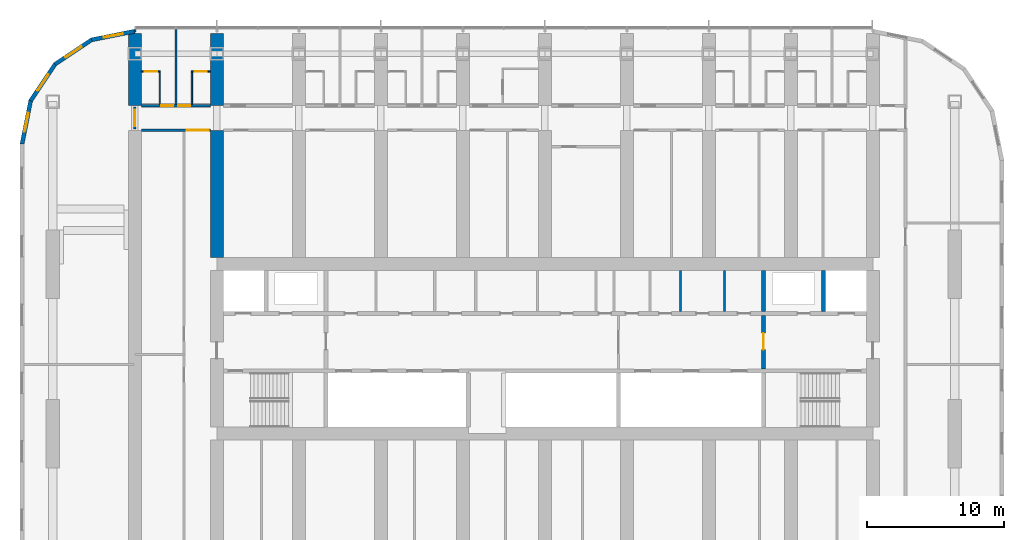
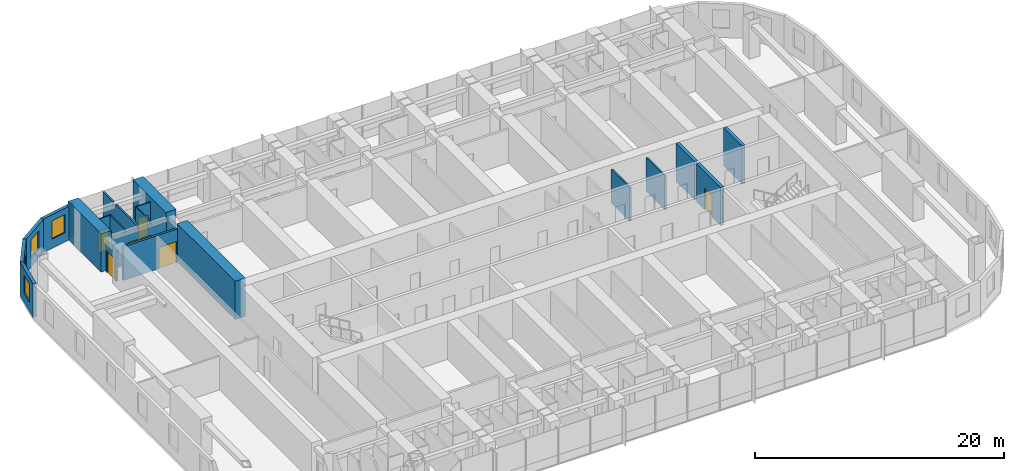
# One storey, part 13 of 22: 21 walls, 7 doors, 4 windows, 11 openings.
"""IFC4 building model written with IfcOpenShell, lengths in metres."""

import ifcopenshell
import ifcopenshell.guid

model = None  # the IFC model being written
_history = None  # IfcOwnerHistory: only IFC2X3 demands one
_inside = {}  # id of a spatial element -> (the spatial element, [elements in it])
_under = {}  # id of a project, library or spatial element -> (it, [spatial elements below it])
_declared = {}  # id of a project -> (the project, [libraries it declares])
_typed = {}  # id of a type object -> (the type object, [elements of that type])
_made_of = {}  # id of a material, layer set ... -> (it, [elements and type objects made of it])


def new_model(schema):
    """Start an empty IFC model of exactly this schema.

    Asked for "IFC4X3", IfcOpenShell would pick the latest addendum, in which some entities
    have other attributes; the version numbers below select the first issue.
    IFC2X3 requires an IfcOwnerHistory on every rooted entity: one is made here for all.
    """
    global model, _history
    if schema == "IFC4X3":
        model = ifcopenshell.file(schema_version=(4, 3, 0, 0))
    else:
        model = ifcopenshell.file(schema=schema)
    _inside.clear()
    _under.clear()
    _declared.clear()
    _typed.clear()
    _made_of.clear()
    _history = None
    if model.schema == "IFC2X3":
        org = make("IfcOrganization", Name="unknown")
        user = make(
            "IfcPersonAndOrganization",
            ThePerson=make("IfcPerson", FamilyName="unknown"),
            TheOrganization=org,
        )
        app = make(
            "IfcApplication",
            ApplicationDeveloper=org,
            Version="unknown",
            ApplicationFullName="unknown",
            ApplicationIdentifier="unknown",
        )
        _history = make(
            "IfcOwnerHistory",
            OwningUser=user,
            OwningApplication=app,
            ChangeAction="ADDED",
            CreationDate=0,
        )
    return model


def make(cls, **values):
    """One entity of the class cls with the attributes given. An attribute that is None is left unset."""
    return model.create_entity(
        cls, **{name: value for name, value in values.items() if value is not None}
    )


def rooted(cls, **values):
    """An entity with a GlobalId (a new one), such as an element, a storey or a relation."""
    return make(cls, GlobalId=ifcopenshell.guid.new(), OwnerHistory=_history, **values)


def si_unit(unit_type, name, prefix=None):
    """IfcSIUnit, for example si_unit("LENGTHUNIT", "METRE", prefix="MILLI")."""
    return make("IfcSIUnit", UnitType=unit_type, Prefix=prefix, Name=name)


def assignment(units):
    """IfcUnitAssignment: the units of a project."""
    return None if units is None else make("IfcUnitAssignment", Units=units)


def point(xyz):
    """IfcCartesianPoint."""
    return None if xyz is None else make("IfcCartesianPoint", Coordinates=xyz)


def direction(xyz):
    """IfcDirection."""
    return None if xyz is None else make("IfcDirection", DirectionRatios=xyz)


def frame(location, z_axis=None, x_axis=None):
    """IfcAxis2Placement3D, a coordinate frame: its origin and axes. An axis left out is left unset."""
    return make(
        "IfcAxis2Placement3D",
        Location=point(location),
        Axis=direction(z_axis),
        RefDirection=direction(x_axis),
    )


def frame_2d(location, x_axis=None):
    """IfcAxis2Placement2D, a coordinate frame in the plane: its origin and x axis."""
    return make(
        "IfcAxis2Placement2D", Location=point(location), RefDirection=direction(x_axis)
    )


def origin():
    """The frame at (0, 0, 0) with its axes left unset."""
    return frame((0.0, 0.0, 0.0))


def place(relative_to, where):
    """IfcLocalPlacement: puts the frame where relative to a parent placement (None: the world)."""
    return make(
        "IfcLocalPlacement", PlacementRelTo=relative_to, RelativePlacement=where
    )


def context(
    kind, dimensions, precision=None, world=None, true_north=None, identifier=None
):
    """IfcGeometricRepresentationContext, for example the 3D "Model" context."""
    return make(
        "IfcGeometricRepresentationContext",
        ContextIdentifier=identifier,
        ContextType=kind,
        CoordinateSpaceDimension=dimensions,
        Precision=precision,
        WorldCoordinateSystem=world,
        TrueNorth=true_north,
    )


def subcontext(parent, identifier, kind, view, scale=None):
    """IfcGeometricRepresentationSubContext, for example "Body" below "Model"."""
    return make(
        "IfcGeometricRepresentationSubContext",
        ContextIdentifier=identifier,
        ContextType=kind,
        ParentContext=parent,
        TargetScale=scale,
        TargetView=view,
    )


def project(units=None, contexts=None):
    """IfcProject with its units and contexts."""
    return rooted(
        "IfcProject",
        Name="project",
        RepresentationContexts=contexts,
        UnitsInContext=assignment(units),
    )


def spatial(cls, under=None, at=None, **own):
    """A site, building, storey or space (cls), placed at a placement, below another one or the project."""
    s = rooted(cls, ObjectPlacement=at, **own)
    if under is not None:
        _under.setdefault(under.id(), (under, []))[1].append(s)
    return s


def polyline(points):
    """IfcPolyline through the points."""
    return make("IfcPolyline", Points=[point(p) for p in points])


def profile(cls, at=None, kind="AREA", **sizes):
    """A parametric profile (cls). Its sizes go by their IFC names, for example OverallWidth=200.0."""
    return make(cls, ProfileType=kind, Position=at, **sizes)


def rectangle(**sizes):
    """IfcRectangleProfileDef."""
    return profile("IfcRectangleProfileDef", **sizes)


def outline(outer, holes=None, kind="AREA"):
    """IfcArbitraryClosedProfileDef: a profile drawn as a closed curve; with holes, ...WithVoids."""
    if holes is None:
        return make("IfcArbitraryClosedProfileDef", ProfileType=kind, OuterCurve=outer)
    return make(
        "IfcArbitraryProfileDefWithVoids",
        ProfileType=kind,
        OuterCurve=outer,
        InnerCurves=holes,
    )


def extrude(swept, where, along, depth):
    """IfcExtrudedAreaSolid: the profile swept, set in the frame where, extruded along a direction by depth."""
    return make(
        "IfcExtrudedAreaSolid",
        SweptArea=swept,
        Position=where,
        ExtrudedDirection=direction(along),
        Depth=depth,
    )


def shape(context_of_items, identifier, shape_type, items):
    """IfcShapeRepresentation: the items that make up one representation, for example the "Body"."""
    return make(
        "IfcShapeRepresentation",
        ContextOfItems=context_of_items,
        RepresentationIdentifier=identifier,
        RepresentationType=shape_type,
        Items=items,
    )


def material(Name=None, Category=None):
    """IfcMaterial."""
    return make("IfcMaterial", Name=Name, Category=Category)


def layer(
    of_material, thickness, ventilated=None, Name=None, Category=None, Priority=None
):
    """IfcMaterialLayer: one layer of a wall or slab, of a material (None: an air gap)."""
    return make(
        "IfcMaterialLayer",
        Material=of_material,
        LayerThickness=thickness,
        IsVentilated=ventilated,
        Name=Name,
        Category=Category,
        Priority=Priority,
    )


def layer_set(layers, Name=None):
    """IfcMaterialLayerSet."""
    return make("IfcMaterialLayerSet", MaterialLayers=layers, LayerSetName=Name)


def made_of(thing, what):
    """Note that an element or type object is made of a material, layer set ...; save() writes the relation."""
    if what is not None:
        _made_of.setdefault(what.id(), (what, []))[1].append(thing)
    return thing


def type_object(cls, material=None, **own):
    """A type object (cls), such as IfcWallType, which elements share."""
    return made_of(rooted(cls, **own), material)


def element(
    cls,
    number,
    at=None,
    inside=None,
    cuts=None,
    type_object=None,
    material=None,
    context=None,
    identifier="Body",
    shape_type=None,
    held_by="IfcProductDefinitionShape",
    body=None,
    shapes=None,
    **own,
):
    """One element of the class cls, such as IfcWall. Its Tag is "e" and its number.

    at: its placement. inside: the storey or other place that contains it. cuts: it is an
    opening in that element (IfcRelVoidsElement). A single representation is given by context,
    identifier, shape_type and body (its items); several are given by shapes. held_by: the class
    of the entity that holds the representations. save() writes the other relations.
    """
    e = rooted(cls, Tag="e%d" % number, ObjectPlacement=at, **own)
    if body is not None:
        shapes = [shape(context, identifier, shape_type, body)]
    if shapes is not None:
        e.Representation = make(held_by, Representations=shapes)
    if inside is not None:
        _inside.setdefault(inside.id(), (inside, []))[1].append(e)
    if cuts is not None:
        rooted(
            "IfcRelVoidsElement", RelatingBuildingElement=cuts, RelatedOpeningElement=e
        )
    if type_object is not None:
        _typed.setdefault(type_object.id(), (type_object, []))[1].append(e)
    return made_of(e, material)


def fill(opening, filler):
    """IfcRelFillsElement: the door or window that sits in an opening."""
    return rooted(
        "IfcRelFillsElement",
        RelatingOpeningElement=opening,
        RelatedBuildingElement=filler,
    )


def aggregate(whole, parts):
    """IfcRelAggregates: a whole, such as a stair, and the parts it consists of."""
    return rooted("IfcRelAggregates", RelatingObject=whole, RelatedObjects=parts)


def save(model, path):
    """Write the relations noted so far, then the file.

    IfcRelAggregates (storeys below a building ...), IfcRelContainedInSpatialStructure (elements
    in a storey), IfcRelDefinesByType, IfcRelAssociatesMaterial and IfcRelDeclares: one each for
    every whole, place, type object, material and project.
    """
    for whole, parts in _under.values():
        aggregate(whole, parts)
    for where, things in _inside.values():
        rooted(
            "IfcRelContainedInSpatialStructure",
            RelatedElements=things,
            RelatingStructure=where,
        )
    for kind, things in _typed.values():
        rooted("IfcRelDefinesByType", RelatedObjects=things, RelatingType=kind)
    for what, things in _made_of.values():
        rooted("IfcRelAssociatesMaterial", RelatedObjects=things, RelatingMaterial=what)
    for by, libraries in _declared.values():
        rooted("IfcRelDeclares", RelatingContext=by, RelatedDefinitions=libraries)
    model.write(path)


model = new_model("IFC4")

# Units and contexts
model_context = context("Model", 3, precision=1e-05, world=origin(), true_north=direction((0.0, 1.0)))
body_context = subcontext(model_context, "Body", "Model", "MODEL_VIEW")
ifc_project = project(units=[si_unit("LENGTHUNIT", "METRE"), si_unit("AREAUNIT", "SQUARE_METRE"), si_unit("VOLUMEUNIT", "CUBIC_METRE"), si_unit("PLANEANGLEUNIT", "RADIAN"), si_unit("MASSUNIT", "GRAM", prefix="KILO")], contexts=[model_context])

# Site, building, storey
site_placement = place(None, origin())
site = spatial("IfcSite", under=ifc_project, at=site_placement, CompositionType="ELEMENT")
building_placement = place(site_placement, origin())
building = spatial("IfcBuilding", under=site, at=building_placement, Name="Orbita Commons", CompositionType="ELEMENT")
storey_placement = place(building_placement, frame((0.0, 0.0, 80.64990234375)))
storey = spatial("IfcBuildingStorey", under=building, at=storey_placement, Name="L19", CompositionType="ELEMENT", Elevation=80.64990234375)

# Wall, opening, door
ifc_material_1 = material(Name="Concrete C50/60", Category="concrete")
ifc_layer_1 = layer(ifc_material_1, 0.300048828125)
ifc_layer_set_1 = layer_set([ifc_layer_1], Name="Concrete C50/60")
wall_type_1 = type_object("IfcWallType", Name="Core inner wall 300 C50/60", PredefinedType="SHEAR", material=ifc_layer_set_1)
wall_1_placement = place(storey_placement, frame((58.0, 30.550048828125, 0.0), z_axis=(0.0, 0.0, 1.0), x_axis=(0.0, 1.0, 0.0)))
wall_1 = element("IfcWall", 1, at=wall_1_placement, inside=storey, type_object=wall_type_1, Name="Firefighting lobby wall east L19", PredefinedType="SHEAR", context=body_context, shape_type="SweptSolid", body=[
    extrude(rectangle(XDim=3.89990234375, YDim=0.300048828125, at=frame_2d((1.949951171875, 0.0))), origin(), (0.0, 0.0, 1.0), 3.75),
])
opening_1_placement = place(wall_1_placement, frame((1.39990234375, 0.0, 0.0)))
opening_1 = element("IfcOpeningElement", 2, at=opening_1_placement, cuts=wall_1, Name="Opening D04", PredefinedType="OPENING", context=body_context, shape_type="SweptSolid", body=[
    extrude(rectangle(XDim=1.199951171875, YDim=2.10009765625, at=frame_2d((0.60009765625, 1.050048828125))), frame((0.0, 0.159912109375, 0.0), z_axis=(0.0, -1.0, 0.0), x_axis=(1.0, 0.0, 0.0)), (0.0, 0.0, 1.0), 0.320068359375),
])
ifc_material_2 = material(Name="Steel-faced fire door leaf", Category="steel")
door_type_1 = type_object("IfcDoorType", Name="Service door 20 min 1200x2100", OperationType="SINGLE_SWING_LEFT", PredefinedType="DOOR", material=ifc_material_2)
door_1_placement = place(opening_1_placement, origin())
door_1 = element("IfcDoor", 3, at=door_1_placement, inside=storey, type_object=door_type_1, Name="Lift lobby door east", OperationType="SINGLE_SWING_LEFT", OverallHeight=2.10009765625, OverallWidth=1.199951171875, PredefinedType="DOOR", context=body_context, shape_type="SweptSolid", body=[
    extrude(rectangle(XDim=1.199951171875, YDim=2.10009765625, at=frame_2d((0.60009765625, 1.050048828125))), frame((0.0, 0.02490234375, 0.0), z_axis=(0.0, -1.0, 0.0), x_axis=(1.0, 0.0, 0.0)), (0.0, 0.0, 1.0), 0.050048828125),
])
fill(opening_1, door_1)

# Walls
for number, where, z_axis, x_axis, name in (
    (4, (62.39990234375, 34.75, 0.0), (0.0, 0.0, 1.0), (0.0, 1.0, 0.0), "Firefighting lift FL2 shaft wall L19"),
    (5, (58.0, 34.75, 0.0), (0.0, 0.0, 1.0), (0.0, 1.0, 0.0), "Riser wall east L19"),
):
    element("IfcWall", number, at=place(storey_placement, frame(where, z_axis=z_axis, x_axis=x_axis)), inside=storey, type_object=wall_type_1, Name=name, PredefinedType="SHEAR", context=body_context, shape_type="SweptSolid", body=[
        extrude(rectangle(XDim=2.97509765625, YDim=0.300048828125, at=frame_2d((1.487548828125, 0.0))), origin(), (0.0, 0.0, 1.0), 3.75),
    ])
ifc_material_3 = material(Name="Concrete blockwork", Category="masonry")
ifc_layer_2 = layer(ifc_material_3, 0.14990234375)
ifc_layer_set_2 = layer_set([ifc_layer_2], Name="Concrete blockwork")
wall_type_2 = type_object("IfcWallType", Name="Core partition 150 blockwork", PredefinedType="SOLIDWALL", material=ifc_layer_set_2)
for number, where, z_axis, x_axis, name in (
    (6, (51.92138671875, 34.75, 0.0), (0.0, 0.0, 1.0), (0.0, 1.0, 0.0), "Core partition 150 blockwork L19"),
    (7, (55.163330078125, 34.75, 0.0), (0.0, 0.0, 1.0), (0.0, 1.0, 0.0), "Core partition 150 blockwork L19"),
):
    element("IfcWall", number, at=place(storey_placement, frame(where, z_axis=z_axis, x_axis=x_axis)), inside=storey, type_object=wall_type_2, Name=name, PredefinedType="SOLIDWALL", context=body_context, shape_type="SweptSolid", body=[
        extrude(rectangle(XDim=2.97509765625, YDim=0.14990234375, at=frame_2d((1.487548828125, 0.0))), origin(), (0.0, 0.0, 1.0), 3.300048828125),
    ])

# Wall, openings, doors
ifc_material_4 = material(Name="Concrete blockwork", Category="masonry")
ifc_layer_3 = layer(ifc_material_4, 0.199951171875)
ifc_layer_set_3 = layer_set([ifc_layer_3], Name="Concrete blockwork")
wall_type_3 = type_object("IfcWallType", Name="Corridor wall 200 blockwork", PredefinedType="SOLIDWALL", material=ifc_layer_set_3)
wall_2_placement = place(storey_placement, frame((12.47509765625, 49.800048828125, 0.0), z_axis=(0.0, 0.0, 1.0), x_axis=(1.0, 0.0, 0.0)))
wall_2 = element("IfcWall", 8, at=wall_2_placement, inside=storey, type_object=wall_type_3, Name="Corridor wall 200 blockwork L19", PredefinedType="SOLIDWALL", context=body_context, shape_type="SweptSolid", body=[
    extrude(outline(polyline([(0.0, 0.0), (5.0498046875, 0.0), (5.050048828125, 2.900146484375), (0.0, 2.900146484375), (0.0, 0.0)])), frame((0.0, 0.10009765625, 0.0), z_axis=(0.0, -1.0, 0.0), x_axis=(1.0, 0.0, 0.0)), (0.0, 0.0, 1.0), 0.199951171875),
])
opening_2_placement = place(wall_2_placement, frame((1.449951171875, 0.0, 0.0)))
opening_2 = element("IfcOpeningElement", 9, at=opening_2_placement, cuts=wall_2, Name="Opening D11", PredefinedType="OPENING", context=body_context, shape_type="SweptSolid", body=[
    extrude(rectangle(XDim=0.89990234375, YDim=2.10009765625, at=frame_2d((0.449951171875, 1.050048828125))), frame((0.0, 0.10986328125, 0.0), z_axis=(0.0, -1.0, 0.0), x_axis=(1.0, 0.0, 0.0)), (0.0, 0.0, 1.0), 0.219970703125),
])
opening_3_placement = place(wall_2_placement, frame((2.699951171875, 0.0, 0.0)))
opening_3 = element("IfcOpeningElement", 10, at=opening_3_placement, cuts=wall_2, Name="Opening D11", PredefinedType="OPENING", context=body_context, shape_type="SweptSolid", body=[
    extrude(rectangle(XDim=0.89990234375, YDim=2.10009765625, at=frame_2d((0.449951171875, 1.050048828125))), frame((0.0, 0.10986328125, 0.0), z_axis=(0.0, -1.0, 0.0), x_axis=(1.0, 0.0, 0.0)), (0.0, 0.0, 1.0), 0.219970703125),
])
ifc_material_5 = material(Name="Steel-faced fire door leaf", Category="steel")
door_type_2 = type_object("IfcDoorType", Name="Corridor door 20 min 900x2100", OperationType="SINGLE_SWING_LEFT", PredefinedType="DOOR", material=ifc_material_5)
door_2_placement = place(opening_2_placement, origin())
door_2 = element("IfcDoor", 11, at=door_2_placement, inside=storey, type_object=door_type_2, Name="Cluster bedroom L19-N00 door", OperationType="SINGLE_SWING_LEFT", OverallHeight=2.10009765625, OverallWidth=0.89990234375, PredefinedType="DOOR", context=body_context, shape_type="SweptSolid", body=[
    extrude(rectangle(XDim=0.89990234375, YDim=2.10009765625, at=frame_2d((0.449951171875, 1.050048828125))), frame((0.0, 0.02490234375, 0.0), z_axis=(0.0, -1.0, 0.0), x_axis=(1.0, 0.0, 0.0)), (0.0, 0.0, 1.0), 0.050048828125),
])
fill(opening_2, door_2)
door_3_placement = place(opening_3_placement, origin())
door_3 = element("IfcDoor", 12, at=door_3_placement, inside=storey, type_object=door_type_2, Name="Cluster bedroom L19-N01 door", OperationType="SINGLE_SWING_LEFT", OverallHeight=2.10009765625, OverallWidth=0.89990234375, PredefinedType="DOOR", context=body_context, shape_type="SweptSolid", body=[
    extrude(rectangle(XDim=0.89990234375, YDim=2.10009765625, at=frame_2d((0.449951171875, 1.050048828125))), frame((0.0, 0.02490234375, 0.0), z_axis=(0.0, -1.0, 0.0), x_axis=(1.0, 0.0, 0.0)), (0.0, 0.0, 1.0), 0.050048828125),
])
fill(opening_3, door_3)

# Wall, opening, door
wall_3_placement = place(storey_placement, frame((12.0, 48.10009765625, 0.0), z_axis=(0.0, 0.0, 1.0), x_axis=(0.0, 1.0, 0.0)))
wall_3 = element("IfcWall", 13, at=wall_3_placement, inside=storey, type_object=wall_type_3, Name="Corridor wall 200 blockwork L19", PredefinedType="SOLIDWALL", context=body_context, shape_type="SweptSolid", body=[
    extrude(outline(polyline([(0.0, 0.0), (1.599853515625, 0.0), (1.60009765625, 2.900146484375), (0.0, 2.900146484375), (0.0, 0.0)])), frame((0.0, 0.10009765625, 0.0), z_axis=(0.0, -1.0, 0.0), x_axis=(1.0, 0.0, 0.0)), (0.0, 0.0, 1.0), 0.199951171875),
])
opening_4_placement = place(wall_3_placement, frame((0.199951171875, 0.0, 0.0)))
opening_4 = element("IfcOpeningElement", 14, at=opening_4_placement, cuts=wall_3, Name="Opening D12", PredefinedType="OPENING", context=body_context, shape_type="SweptSolid", body=[
    extrude(rectangle(XDim=1.199951171875, YDim=2.10009765625, at=frame_2d((0.60009765625, 1.050048828125))), frame((0.0, 0.10986328125, 0.0), z_axis=(0.0, -1.0, 0.0), x_axis=(1.0, 0.0, 0.0)), (0.0, 0.0, 1.0), 0.219970703125),
])
ifc_material_6 = material(Name="Steel-faced fire door leaf", Category="steel")
door_type_3 = type_object("IfcDoorType", Name="Double corridor door 20 min 1200x2100", OperationType="DOUBLE_DOOR_SINGLE_SWING", PredefinedType="DOOR", material=ifc_material_6)
door_4_placement = place(opening_4_placement, origin())
door_4 = element("IfcDoor", 15, at=door_4_placement, inside=storey, type_object=door_type_3, Name="Lounge doors", OperationType="DOUBLE_DOOR_SINGLE_SWING", OverallHeight=2.10009765625, OverallWidth=1.199951171875, PredefinedType="DOOR", context=body_context, shape_type="SweptSolid", body=[
    extrude(rectangle(XDim=1.199951171875, YDim=2.10009765625, at=frame_2d((0.60009765625, 1.050048828125))), frame((0.0, 0.02490234375, 0.0), z_axis=(0.0, -1.0, 0.0), x_axis=(1.0, 0.0, 0.0)), (0.0, 0.0, 1.0), 0.050048828125),
])
fill(opening_4, door_4)

ifc_material_7 = material(Name="Hollow concrete block 200", Category="concrete")
ifc_layer_4 = layer(ifc_material_7, 0.199951171875)
ifc_layer_set_4 = layer_set([ifc_layer_4], Name="Hollow concrete block 200")
wall_type_4 = type_object("IfcWallType", Name="Corridor wall 200 hollow concrete block", PredefinedType="SOLIDWALL", material=ifc_layer_set_4)
wall_4_placement = place(storey_placement, frame((12.47509765625, 48.0, 0.0), z_axis=(0.0, 0.0, 1.0), x_axis=(1.0, 0.0, 0.0)))
wall_4 = element("IfcWall", 16, at=wall_4_placement, inside=storey, type_object=wall_type_4, Name="Corridor wall 200 hollow concrete block L19", PredefinedType="SOLIDWALL", context=body_context, shape_type="SweptSolid", body=[
    extrude(rectangle(XDim=5.0498046875, YDim=0.199951171875, at=frame_2d((2.52490234375, 0.0))), origin(), (0.0, 0.0, 1.0), 3.300048828125),
])
opening_5_placement = place(wall_4_placement, frame((3.324951171875, 0.0, 0.0)))
opening_5 = element("IfcOpeningElement", 17, at=opening_5_placement, cuts=wall_4, Name="Opening D10", PredefinedType="OPENING", context=body_context, shape_type="SweptSolid", body=[
    extrude(rectangle(XDim=1.60009765625, YDim=2.10009765625, at=frame_2d((0.800048828125, 1.050048828125))), frame((0.0, 0.10986328125, 0.0), z_axis=(0.0, -1.0, 0.0), x_axis=(1.0, 0.0, 0.0)), (0.0, 0.0, 1.0), 0.219970703125),
])
ifc_material_8 = material(Name="Steel-faced fire door leaf", Category="steel")
door_type_4 = type_object("IfcDoorType", Name="Double corridor door 20 min 1600x2100", OperationType="DOUBLE_DOOR_SINGLE_SWING", PredefinedType="DOOR", material=ifc_material_8)
door_5_placement = place(opening_5_placement, origin())
door_5 = element("IfcDoor", 18, at=door_5_placement, inside=storey, type_object=door_type_4, Name="Cross corridor doors", OperationType="DOUBLE_DOOR_SINGLE_SWING", OverallHeight=2.10009765625, OverallWidth=1.60009765625, PredefinedType="DOOR", context=body_context, shape_type="SweptSolid", body=[
    extrude(rectangle(XDim=1.60009765625, YDim=2.10009765625, at=frame_2d((0.800048828125, 1.050048828125))), frame((0.0, 0.02490234375, 0.0), z_axis=(0.0, -1.0, 0.0), x_axis=(1.0, 0.0, 0.0)), (0.0, 0.0, 1.0), 0.050048828125),
])
fill(opening_5, door_5)

# Walls
ifc_material_9 = material(Name="Concrete C50/60", Category="concrete")
ifc_layer_5 = layer(ifc_material_9, 0.949951171875)
ifc_layer_set_5 = layer_set([ifc_layer_5], Name="Concrete C50/60")
wall_type_5 = type_object("IfcWallType", Name="Cross wall 950 C50/60", PredefinedType="SHEAR", material=ifc_layer_set_5)
for number, where, z_axis, x_axis, name in (
    (19, (12.0, 49.800048828125, 0.0), (0.0, 0.0, 1.0), (0.0, 1.0, 0.0), "Cross wall 3 north outer L19"),
    (20, (18.0, 49.800048828125, 0.0), (0.0, 0.0, 1.0), (0.0, 1.0, 0.0), "Cross wall 4 north outer L19"),
):
    element("IfcWall", number, at=place(storey_placement, frame(where, z_axis=z_axis, x_axis=x_axis)), inside=storey, type_object=wall_type_5, Name=name, PredefinedType="SHEAR", context=body_context, shape_type="SweptSolid", body=[
        extrude(rectangle(XDim=5.300048828125, YDim=0.949951171875, at=frame_2d((2.64990234375, 0.0))), origin(), (0.0, 0.0, 1.0), 3.75),
    ])
wall_5_placement = place(storey_placement, frame((18.0, 38.675048828125, 0.0), z_axis=(0.0, 0.0, 1.0), x_axis=(0.0, 1.0, 0.0)))
element("IfcWall", 21, at=wall_5_placement, inside=storey, type_object=wall_type_5, Name="Cross wall 4 north inner L19", PredefinedType="SHEAR", context=body_context, shape_type="SweptSolid", body=[
    extrude(rectangle(XDim=9.324951171875, YDim=0.949951171875, at=frame_2d((4.66259765625, 0.0))), origin(), (0.0, 0.0, 1.0), 3.75),
])

# Wall, opening, door
ifc_material_10 = material(Name="Moisture-resistant plasterboard on steel studs", Category="steel")
ifc_layer_6 = layer(ifc_material_10, 0.10009765625)
ifc_layer_set_6 = layer_set([ifc_layer_6], Name="Moisture-resistant plasterboard on steel studs")
wall_type_6 = type_object("IfcWallType", Name="En-suite partition 100", PredefinedType="PARTITIONING", material=ifc_layer_set_6)
wall_6_placement = place(storey_placement, frame((12.47509765625, 52.300048828125, 0.0), z_axis=(0.0, 0.0, 1.0), x_axis=(1.0, 0.0, 0.0)))
wall_6 = element("IfcWall", 22, at=wall_6_placement, inside=storey, type_object=wall_type_6, Name="En-suite partition 100 L19", PredefinedType="PARTITIONING", context=body_context, shape_type="SweptSolid", body=[
    extrude(rectangle(XDim=1.39990234375, YDim=0.10009765625, at=frame_2d((0.699951171875, 0.0))), origin(), (0.0, 0.0, 1.0), 3.300048828125),
])
opening_6_placement = place(wall_6_placement, frame((0.25, 0.0, 0.0)))
opening_6 = element("IfcOpeningElement", 23, at=opening_6_placement, cuts=wall_6, Name="Opening D09", PredefinedType="OPENING", context=body_context, shape_type="SweptSolid", body=[
    extrude(rectangle(XDim=0.89990234375, YDim=2.10009765625, at=frame_2d((0.449951171875, 1.050048828125))), frame((0.0, 0.06005859375, 0.0), z_axis=(0.0, -1.0, 0.0), x_axis=(1.0, 0.0, 0.0)), (0.0, 0.0, 1.0), 0.1201171875),
])
ifc_material_11 = material(Name="Laminated timber door leaf", Category="wood")
door_type_5 = type_object("IfcDoorType", Name="En-suite door 900x2100", OperationType="SINGLE_SWING_RIGHT", PredefinedType="DOOR", material=ifc_material_11)
door_6_placement = place(opening_6_placement, origin())
door_6 = element("IfcDoor", 24, at=door_6_placement, inside=storey, type_object=door_type_5, Name="En-suite L19-N00 door", OperationType="SINGLE_SWING_RIGHT", OverallHeight=2.10009765625, OverallWidth=0.89990234375, PredefinedType="DOOR", context=body_context, shape_type="SweptSolid", body=[
    extrude(rectangle(XDim=0.89990234375, YDim=2.10009765625, at=frame_2d((0.449951171875, 1.050048828125))), frame((0.0, 0.02490234375, 0.0), z_axis=(0.0, -1.0, 0.0), x_axis=(1.0, 0.0, 0.0)), (0.0, 0.0, 1.0), 0.050048828125),
])
fill(opening_6, door_6)

# Wall
wall_7_placement = place(storey_placement, frame((13.824951171875, 52.25, 0.0), z_axis=(0.0, 0.0, 1.0), x_axis=(0.0, -1.0, 0.0)))
element("IfcWall", 25, at=wall_7_placement, inside=storey, type_object=wall_type_6, Name="En-suite partition 100 L19", PredefinedType="PARTITIONING", context=body_context, shape_type="SweptSolid", body=[
    extrude(outline(polyline([(0.0, 0.0), (2.35009765625, 0.0), (2.35009765625, 2.900146484375), (2.302001953125, 2.900146484375), (2.300048828125, 3.300048828125), (0.0, 3.300048828125), (0.0, 0.0)])), frame((0.0, 0.050048828125, 0.0), z_axis=(0.0, -1.0, 0.0), x_axis=(1.0, 0.0, 0.0)), (0.0, 0.0, 1.0), 0.10009765625),
])

# Wall, opening, door
wall_8_placement = place(storey_placement, frame((16.125, 52.300048828125, 0.0), z_axis=(0.0, 0.0, 1.0), x_axis=(1.0, 0.0, 0.0)))
wall_8 = element("IfcWall", 26, at=wall_8_placement, inside=storey, type_object=wall_type_6, Name="En-suite partition 100 L19", PredefinedType="PARTITIONING", context=body_context, shape_type="SweptSolid", body=[
    extrude(rectangle(XDim=1.39990234375, YDim=0.10009765625, at=frame_2d((0.699951171875, 0.0))), origin(), (0.0, 0.0, 1.0), 3.300048828125),
])
opening_7_placement = place(wall_8_placement, frame((0.25, 0.0, 0.0)))
opening_7 = element("IfcOpeningElement", 27, at=opening_7_placement, cuts=wall_8, Name="Opening D09", PredefinedType="OPENING", context=body_context, shape_type="SweptSolid", body=[
    extrude(rectangle(XDim=0.89990234375, YDim=2.10009765625, at=frame_2d((0.449951171875, 1.050048828125))), frame((0.0, 0.06005859375, 0.0), z_axis=(0.0, -1.0, 0.0), x_axis=(1.0, 0.0, 0.0)), (0.0, 0.0, 1.0), 0.1201171875),
])
door_7_placement = place(opening_7_placement, origin())
door_7 = element("IfcDoor", 28, at=door_7_placement, inside=storey, type_object=door_type_5, Name="En-suite L19-N01 door", OperationType="SINGLE_SWING_RIGHT", OverallHeight=2.10009765625, OverallWidth=0.89990234375, PredefinedType="DOOR", context=body_context, shape_type="SweptSolid", body=[
    extrude(rectangle(XDim=0.89990234375, YDim=2.10009765625, at=frame_2d((0.449951171875, 1.050048828125))), frame((0.0, 0.02490234375, 0.0), z_axis=(0.0, -1.0, 0.0), x_axis=(1.0, 0.0, 0.0)), (0.0, 0.0, 1.0), 0.050048828125),
])
fill(opening_7, door_7)

# Walls
wall_9_placement = place(storey_placement, frame((16.175048828125, 52.25, 0.0), z_axis=(0.0, 0.0, 1.0), x_axis=(0.0, -1.0, 0.0)))
element("IfcWall", 29, at=wall_9_placement, inside=storey, type_object=wall_type_6, Name="En-suite partition 100 L19", PredefinedType="PARTITIONING", context=body_context, shape_type="SweptSolid", body=[
    extrude(outline(polyline([(0.0, 0.0), (2.35009765625, 0.0), (2.35009765625, 2.900146484375), (2.302001953125, 2.900146484375), (2.300048828125, 3.300048828125), (0.0, 3.300048828125), (0.0, 0.0)])), frame((0.0, 0.050048828125, 0.0), z_axis=(0.0, -1.0, 0.0), x_axis=(1.0, 0.0, 0.0)), (0.0, 0.0, 1.0), 0.10009765625),
])
ifc_material_12 = material(Name="Gypsum plasterboard on steel studs", Category="steel")
ifc_layer_7 = layer(ifc_material_12, 0.14990234375)
ifc_layer_set_7 = layer_set([ifc_layer_7], Name="Gypsum plasterboard on steel studs")
wall_type_7 = type_object("IfcWallType", Name="Partition 150 plasterboard", PredefinedType="PARTITIONING", material=ifc_layer_set_7)
wall_10_placement = place(storey_placement, frame((12.0, 55.199951171875, 0.0), z_axis=(0.0, 0.0, 1.0), x_axis=(0.0, 1.0, 0.0)))
element("IfcWall", 30, at=wall_10_placement, inside=storey, type_object=wall_type_7, Name="Partition 150 plasterboard L19", PredefinedType="PARTITIONING", context=body_context, shape_type="SweptSolid", body=[
    extrude(rectangle(XDim=0.219970703125, YDim=0.14990234375, at=frame_2d((0.10986328125, 0.0))), origin(), (0.0, 0.0, 1.0), 3.300048828125),
])
ifc_material_13 = material(Name="Gypsum plasterboard on steel studs", Category="steel")
ifc_layer_8 = layer(ifc_material_13, 0.14990234375)
ifc_layer_set_8 = layer_set([ifc_layer_8], Name="Gypsum plasterboard on steel studs")
wall_type_8 = type_object("IfcWallType", Name="Party wall 150 plasterboard", PredefinedType="PARTITIONING", material=ifc_layer_set_8)
wall_11_placement = place(storey_placement, frame((15.0, 55.389892578125, 0.0), z_axis=(0.0, 0.0, 1.0), x_axis=(0.0, -1.0, 0.0)))
element("IfcWall", 31, at=wall_11_placement, inside=storey, type_object=wall_type_8, Name="Party wall 150 plasterboard L19", PredefinedType="PARTITIONING", context=body_context, shape_type="SweptSolid", body=[
    extrude(outline(polyline([(0.0, 0.0), (5.489990234375, 0.0), (5.489990234375, 2.900146484375), (5.44189453125, 2.900146484375), (5.43994140625, 3.300048828125), (1.991943359375, 3.300048828125), (1.989990234375, 2.900146484375), (1.592041015625, 2.900146484375), (1.590087890625, 3.300048828125), (0.0, 3.300048828125), (0.0, 0.0)])), frame((0.0, 0.074951171875, 0.0), z_axis=(0.0, -1.0, 0.0), x_axis=(1.0, 0.0, 0.0)), (0.0, 0.0, 1.0), 0.14990234375),
])

# Wall, opening, window
ifc_material_14 = material(Name="Precast concrete C40/50, white board-marked finish", Category="concrete")
ifc_layer_9 = layer(ifc_material_14, 0.300048828125)
ifc_layer_set_9 = layer_set([ifc_layer_9], Name="Precast concrete C40/50, white board-marked finish")
wall_type_9 = type_object("IfcWallType", Name="Precast concrete end shield 300", PredefinedType="SOLIDWALL", material=ifc_layer_set_9)
wall_12_placement = place(storey_placement, frame((12.0, 55.25, 0.0), z_axis=(0.0, 0.0, 1.0), x_axis=(-0.980787251524, -0.195080412259, 0.0)))
wall_12 = element("IfcWall", 32, at=wall_12_placement, inside=storey, type_object=wall_type_9, Name="End shield NW chord 1 L19", PredefinedType="SOLIDWALL", context=body_context, shape_type="SweptSolid", body=[
    extrude(outline(polyline([(-0.02978515625, -0.14990234375), (3.24853515625, -0.14990234375), (3.18896484375, 0.14990234375), (0.02978515625, 0.14990234375), (-0.02978515625, -0.14990234375)])), origin(), (0.0, 0.0, 1.0), 3.300048828125),
])
opening_8_placement = place(wall_12_placement, frame((0.909423828125, 0.0, 0.89990234375)))
opening_8 = element("IfcOpeningElement", 33, at=opening_8_placement, cuts=wall_12, Name="Opening W02", PredefinedType="OPENING", context=body_context, shape_type="SweptSolid", body=[
    extrude(rectangle(XDim=1.39990234375, YDim=1.800048828125, at=frame_2d((0.699951171875, 0.89990234375))), frame((0.0, 0.159912109375, 0.0), z_axis=(0.0, -1.0, 0.0), x_axis=(1.0, 0.0, 0.0)), (0.0, 0.0, 1.0), 0.320068359375),
])
ifc_material_15 = material(Name="Aluminium frame, clear double glazing", Category="aluminium")
window_type = type_object("IfcWindowType", Name="Deep-set window 1400x1800", PartitioningType="SINGLE_PANEL", PredefinedType="WINDOW", material=ifc_material_15)
window_1_placement = place(opening_8_placement, origin())
window_1 = element("IfcWindow", 34, at=window_1_placement, inside=storey, type_object=window_type, Name="Window L19-NW0", OverallHeight=1.800048828125, OverallWidth=1.39990234375, PartitioningType="SINGLE_PANEL", PredefinedType="WINDOW", context=body_context, shape_type="SweptSolid", body=[
    extrude(rectangle(XDim=1.39990234375, YDim=1.800048828125, at=frame_2d((0.699951171875, 0.89990234375))), frame((0.0, 0.030029296875, 0.0), z_axis=(0.0, -1.0, 0.0), x_axis=(1.0, 0.0, 0.0)), (0.0, 0.0, 1.0), 0.06005859375),
])
fill(opening_8, window_1)

wall_13_placement = place(storey_placement, frame((8.843017578125, 54.6220703125, 0.0), z_axis=(0.0, 0.0, 1.0), x_axis=(-0.831443069936, -0.555609954424, 0.0)))
wall_13 = element("IfcWall", 35, at=wall_13_placement, inside=storey, type_object=wall_type_9, Name="End shield NW chord 2 L19", PredefinedType="SOLIDWALL", context=body_context, shape_type="SweptSolid", body=[
    extrude(outline(polyline([(-0.02978515625, -0.14990234375), (3.2490234375, -0.14990234375), (3.189453125, 0.14990234375), (0.02978515625, 0.14990234375), (-0.02978515625, -0.14990234375)])), origin(), (0.0, 0.0, 1.0), 3.300048828125),
])
opening_9_placement = place(wall_13_placement, frame((0.909423828125, 0.0, 0.89990234375)))
opening_9 = element("IfcOpeningElement", 36, at=opening_9_placement, cuts=wall_13, Name="Opening W02", PredefinedType="OPENING", context=body_context, shape_type="SweptSolid", body=[
    extrude(rectangle(XDim=1.39990234375, YDim=1.800048828125, at=frame_2d((0.699951171875, 0.89990234375))), frame((0.0, 0.159912109375, 0.0), z_axis=(0.0, -1.0, 0.0), x_axis=(1.0, 0.0, 0.0)), (0.0, 0.0, 1.0), 0.320068359375),
])
window_2_placement = place(opening_9_placement, origin())
window_2 = element("IfcWindow", 37, at=window_2_placement, inside=storey, type_object=window_type, Name="Window L19-NW1", OverallHeight=1.800048828125, OverallWidth=1.39990234375, PartitioningType="SINGLE_PANEL", PredefinedType="WINDOW", context=body_context, shape_type="SweptSolid", body=[
    extrude(rectangle(XDim=1.39990234375, YDim=1.800048828125, at=frame_2d((0.699951171875, 0.89990234375))), frame((0.0, 0.030029296875, 0.0), z_axis=(0.0, -1.0, 0.0), x_axis=(1.0, 0.0, 0.0)), (0.0, 0.0, 1.0), 0.06005859375),
])
fill(opening_9, window_2)

wall_14_placement = place(storey_placement, frame((6.16650390625, 52.83349609375, 0.0), z_axis=(0.0, 0.0, 1.0), x_axis=(-0.555609954424, -0.831443069936, 0.0)))
wall_14 = element("IfcWall", 38, at=wall_14_placement, inside=storey, type_object=wall_type_9, Name="End shield NW chord 3 L19", PredefinedType="SOLIDWALL", context=body_context, shape_type="SweptSolid", body=[
    extrude(outline(polyline([(-0.02978515625, -0.14990234375), (3.2490234375, -0.14990234375), (3.189453125, 0.14990234375), (0.02978515625, 0.14990234375), (-0.02978515625, -0.14990234375)])), origin(), (0.0, 0.0, 1.0), 3.300048828125),
])
opening_10_placement = place(wall_14_placement, frame((0.909423828125, 0.0, 0.89990234375)))
opening_10 = element("IfcOpeningElement", 39, at=opening_10_placement, cuts=wall_14, Name="Opening W02", PredefinedType="OPENING", context=body_context, shape_type="SweptSolid", body=[
    extrude(rectangle(XDim=1.39990234375, YDim=1.800048828125, at=frame_2d((0.699951171875, 0.89990234375))), frame((0.0, 0.159912109375, 0.0), z_axis=(0.0, -1.0, 0.0), x_axis=(1.0, 0.0, 0.0)), (0.0, 0.0, 1.0), 0.320068359375),
])
window_3_placement = place(opening_10_placement, origin())
window_3 = element("IfcWindow", 40, at=window_3_placement, inside=storey, type_object=window_type, Name="Window L19-NW2", OverallHeight=1.800048828125, OverallWidth=1.39990234375, PartitioningType="SINGLE_PANEL", PredefinedType="WINDOW", context=body_context, shape_type="SweptSolid", body=[
    extrude(rectangle(XDim=1.39990234375, YDim=1.800048828125, at=frame_2d((0.699951171875, 0.89990234375))), frame((0.0, 0.030029296875, 0.0), z_axis=(0.0, -1.0, 0.0), x_axis=(1.0, 0.0, 0.0)), (0.0, 0.0, 1.0), 0.06005859375),
])
fill(opening_10, window_3)

wall_15_placement = place(storey_placement, frame((4.3779296875, 50.156982421875, 0.0), z_axis=(0.0, 0.0, 1.0), x_axis=(-0.195080412259, -0.980787251524, 0.0)))
wall_15 = element("IfcWall", 41, at=wall_15_placement, inside=storey, type_object=wall_type_9, Name="End shield NW chord 4 L19", PredefinedType="SOLIDWALL", context=body_context, shape_type="SweptSolid", body=[
    extrude(outline(polyline([(-0.02978515625, -0.14990234375), (3.233642578125, -0.14990234375), (3.203857421875, 0.14990234375), (0.02978515625, 0.14990234375), (-0.02978515625, -0.14990234375)])), origin(), (0.0, 0.0, 1.0), 3.300048828125),
])
opening_11_placement = place(wall_15_placement, frame((0.909423828125, 0.0, 0.89990234375)))
opening_11 = element("IfcOpeningElement", 42, at=opening_11_placement, cuts=wall_15, Name="Opening W02", PredefinedType="OPENING", context=body_context, shape_type="SweptSolid", body=[
    extrude(rectangle(XDim=1.39990234375, YDim=1.800048828125, at=frame_2d((0.699951171875, 0.89990234375))), frame((0.0, 0.159912109375, 0.0), z_axis=(0.0, -1.0, 0.0), x_axis=(1.0, 0.0, 0.0)), (0.0, 0.0, 1.0), 0.320068359375),
])
window_4_placement = place(opening_11_placement, origin())
window_4 = element("IfcWindow", 43, at=window_4_placement, inside=storey, type_object=window_type, Name="Window L19-NW3", OverallHeight=1.800048828125, OverallWidth=1.39990234375, PartitioningType="SINGLE_PANEL", PredefinedType="WINDOW", context=body_context, shape_type="SweptSolid", body=[
    extrude(rectangle(XDim=1.39990234375, YDim=1.800048828125, at=frame_2d((0.699951171875, 0.89990234375))), frame((0.0, 0.030029296875, 0.0), z_axis=(0.0, -1.0, 0.0), x_axis=(1.0, 0.0, 0.0)), (0.0, 0.0, 1.0), 0.06005859375),
])
fill(opening_11, window_4)

save(model, "model.ifc")
